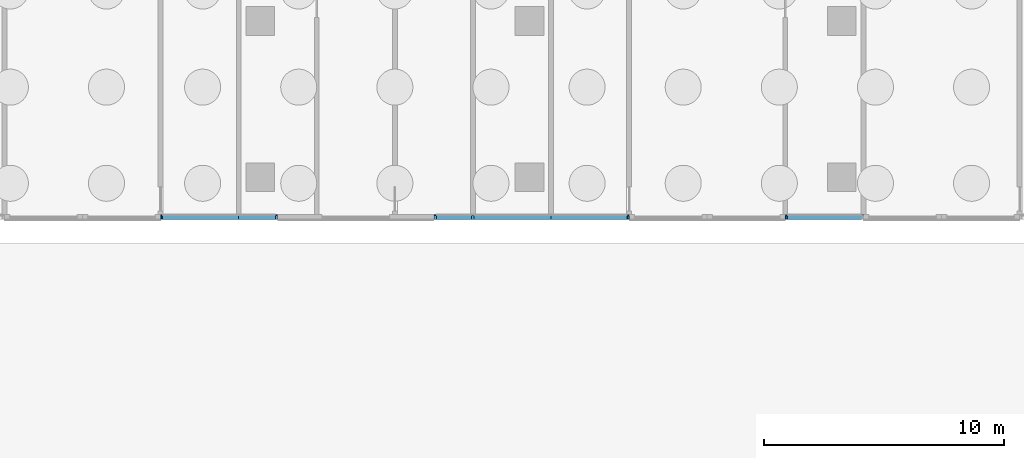
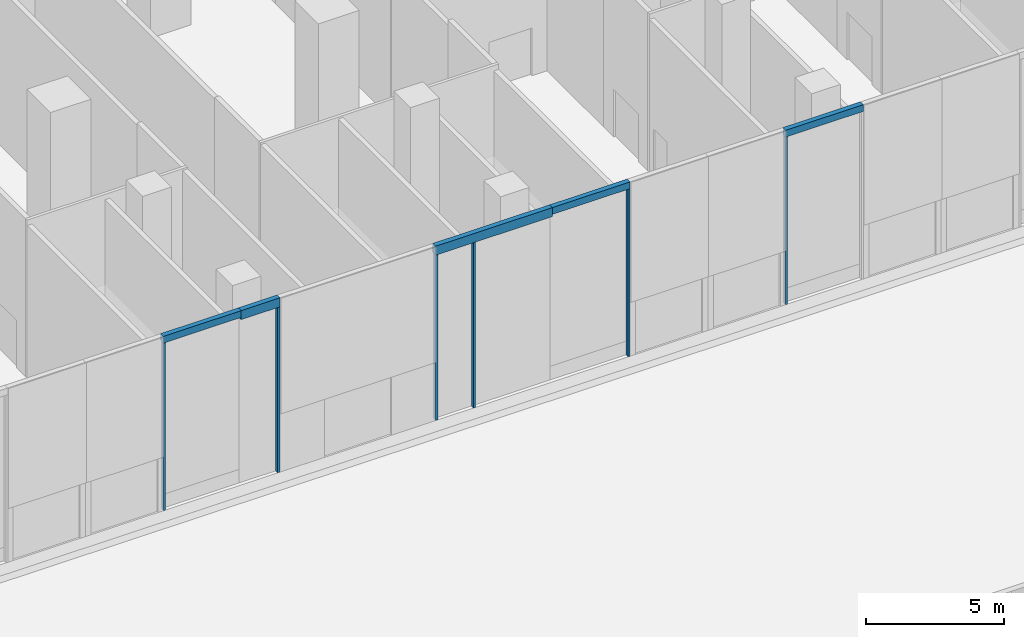
# One storey, part 5 of 27: 11 members, 5 elements without a shape of their own.
"""IFC4 building model written with IfcOpenShell, lengths in metres."""

from ifc_helpers import new_model, si_unit, direction, frame, origin, origin_2d, place, context, subcontext, project, spatial, polyline, rectangle, outline, extrude, source, transform, mapped, material, layer, layer_set, material_profile, profile_set, type_object, element, aggregate, save


model = new_model("IFC4")

# Units and contexts
model_context = context("Model", 3, precision=1e-05, world=origin(), true_north=direction((0.0, 1.0)))
body_context = subcontext(model_context, "Body", "Model", "MODEL_VIEW")
ifc_project = project(units=[si_unit("LENGTHUNIT", "METRE"), si_unit("AREAUNIT", "SQUARE_METRE"), si_unit("VOLUMEUNIT", "CUBIC_METRE"), si_unit("PLANEANGLEUNIT", "RADIAN"), si_unit("MASSUNIT", "GRAM", prefix="KILO")], contexts=[model_context])

# Site, building, storey
site_placement = place(None, origin())
site = spatial("IfcSite", under=ifc_project, at=site_placement, CompositionType="ELEMENT")
building_placement = place(site_placement, origin())
building = spatial("IfcBuilding", under=site, at=building_placement, Name="Trellis Farm Tower", CompositionType="ELEMENT")
storey_placement = place(building_placement, origin())
storey = spatial("IfcBuildingStorey", under=building, at=storey_placement, Name="L00", CompositionType="ELEMENT", Elevation=0.0)

# Curtain wall, member
ifc_material_1 = material(Name="Aluminium and glass curtain wall", Category="aluminium")
ifc_layer_1 = layer(ifc_material_1, 0.201904296875)
ifc_layer_set_1 = layer_set([ifc_layer_1], Name="SHOPFRONT CURTAIN WALL CW2")
curtain_wall_type_1 = type_object("IfcCurtainWallType", Name="SHOPFRONT CURTAIN WALL CW2", PredefinedType="NOTDEFINED", material=ifc_layer_set_1)
placement_1 = place(storey_placement, origin())
curtain_wall_1 = element("IfcCurtainWall", 1, at=placement_1, inside=storey, type_object=curtain_wall_type_1, Name="CW2 017", PredefinedType="NOTDEFINED")
ifc_material_2 = material(Name="Aluminium extrusion 6063-T6", Category="aluminium")
ifc_layer_2 = layer(ifc_material_2, 0.205078125)
ifc_layer_set_2 = layer_set([ifc_layer_2], Name="Aluminium extrusion 6063-T6")
member_type_1 = type_object("IfcMemberType", Name="CW2 TRANSOM 205x300", PredefinedType="USERDEFINED", material=ifc_layer_set_2)
placement_2 = place(storey_placement, frame((0.0, 0.0, 7.39990234375)))
member_1 = element("IfcMember", 2, at=placement_2, type_object=member_type_1, Name="TR2 017", ObjectType="TRANSOM", PredefinedType="USERDEFINED", context=body_context, shape_type="SweptSolid", body=[
    extrude(outline(polyline([(-9.75, -45.5), (-6.5, -45.5), (-6.5, -45.294921875), (-9.75, -45.294921875), (-9.75, -45.5)])), origin(), (0.0, 0.0, 1.0), 0.300048828125),
])

curtain_wall_2 = element("IfcCurtainWall", 3, at=placement_1, inside=storey, type_object=curtain_wall_type_1, Name="CW2 018", PredefinedType="NOTDEFINED")
member_2 = element("IfcMember", 4, at=placement_2, type_object=member_type_1, Name="TR2 018", ObjectType="TRANSOM", PredefinedType="USERDEFINED", context=body_context, shape_type="SweptSolid", body=[
    extrude(outline(polyline([(6.5, -45.5), (9.75, -45.5), (9.75, -45.294921875), (6.5, -45.294921875), (6.5, -45.5)])), origin(), (0.0, 0.0, 1.0), 0.300048828125),
])

curtain_wall_3 = element("IfcCurtainWall", 5, at=placement_1, inside=storey, type_object=curtain_wall_type_1, Name="CW2 019", PredefinedType="NOTDEFINED")
member_3 = element("IfcMember", 6, at=placement_2, type_object=member_type_1, Name="TR2 019", ObjectType="TRANSOM", PredefinedType="USERDEFINED", context=body_context, shape_type="SweptSolid", body=[
    extrude(outline(polyline([(16.25, -45.5), (19.5, -45.5), (19.5, -45.294921875), (16.25, -45.294921875), (16.25, -45.5)])), origin(), (0.0, 0.0, 1.0), 0.300048828125),
])

ifc_layer_3 = layer(ifc_material_1, 0.2099609375)
ifc_layer_set_3 = layer_set([ifc_layer_3], Name="LOBBY CURTAIN WALL CW4")
curtain_wall_type_2 = type_object("IfcCurtainWallType", Name="LOBBY CURTAIN WALL CW4", PredefinedType="NOTDEFINED", material=ifc_layer_set_3)
curtain_wall_4 = element("IfcCurtainWall", 7, at=placement_1, inside=storey, type_object=curtain_wall_type_2, Name="CW4 007", PredefinedType="NOTDEFINED")
ifc_layer_4 = layer(ifc_material_2, 0.2099609375)
ifc_layer_set_4 = layer_set([ifc_layer_4], Name="Aluminium extrusion 6063-T6")
member_type_2 = type_object("IfcMemberType", Name="CW4 TRANSOM 210x400", PredefinedType="USERDEFINED", material=ifc_layer_set_4)
placement_3 = place(storey_placement, frame((0.0, 0.0, 7.300048828125)))
member_4 = element("IfcMember", 8, at=placement_3, type_object=member_type_2, Name="TR4 007", ObjectType="TRANSOM", PredefinedType="USERDEFINED", context=body_context, shape_type="SweptSolid", body=[
    extrude(outline(polyline([(-6.5, -45.5), (-4.875, -45.5), (-4.875, -45.2900390625), (-6.5, -45.2900390625), (-6.5, -45.5)])), origin(), (0.0, 0.0, 1.0), 0.39990234375),
])

curtain_wall_5 = element("IfcCurtainWall", 9, at=placement_1, inside=storey, type_object=curtain_wall_type_2, Name="CW4 008", PredefinedType="NOTDEFINED")
member_5 = element("IfcMember", 10, at=placement_3, type_object=member_type_2, Name="TR4 008", ObjectType="TRANSOM", PredefinedType="USERDEFINED", context=body_context, shape_type="SweptSolid", body=[
    extrude(outline(polyline([(1.625, -45.5), (6.5, -45.5), (6.5, -45.2900390625), (1.625, -45.2900390625), (1.625, -45.5)])), origin(), (0.0, 0.0, 1.0), 0.39990234375),
])

# Member
ifc_material_profile_1 = material_profile(ifc_material_2, rectangle(XDim=0.080078125, YDim=0.14990234375, at=origin_2d()), Name="MULLION 80x150")
ifc_profile_set_1 = profile_set([ifc_material_profile_1], Name="Aluminium extrusion 6063-T6")
member_type_3 = type_object("IfcMemberType", Name="CW2 MULLION 80x150", PredefinedType="MULLION", material=ifc_profile_set_1)
shared_shape_1 = source(origin(), body_context, "Body", "SweptSolid", [
    extrude(rectangle(XDim=0.080078125, YDim=0.14990234375, at=origin_2d()), origin(), (0.0, 0.0, 1.0), 7.39990234375),
])
member_6_placement = place(storey_placement, frame((-9.7099609375, -45.425048828125, 0.0), z_axis=(0.0, 0.0, 1.0), x_axis=(1.0, 0.0, 0.0)))
member_6 = element("IfcMember", 11, at=member_6_placement, type_object=member_type_3, Name="MU2 017-01", PredefinedType="MULLION", context=body_context, shape_type="MappedRepresentation", body=[
    mapped(shared_shape_1, transform((0.0, 0.0, 0.0))),
])

aggregate(curtain_wall_1, [member_6, member_1])

member_7_placement = place(storey_placement, frame((9.7099609375, -45.425048828125, 0.0), z_axis=(0.0, 0.0, 1.0), x_axis=(1.0, 0.0, 0.0)))
member_7 = element("IfcMember", 12, at=member_7_placement, type_object=member_type_3, Name="MU2 018-01", PredefinedType="MULLION", context=body_context, shape_type="MappedRepresentation", body=[
    mapped(shared_shape_1, transform((0.0, 0.0, 0.0))),
])

aggregate(curtain_wall_2, [member_7, member_2])

member_8_placement = place(storey_placement, frame((16.2900390625, -45.425048828125, 0.0), z_axis=(0.0, 0.0, 1.0), x_axis=(1.0, 0.0, 0.0)))
member_8 = element("IfcMember", 13, at=member_8_placement, type_object=member_type_3, Name="MU2 019-01", PredefinedType="MULLION", context=body_context, shape_type="MappedRepresentation", body=[
    mapped(shared_shape_1, transform((0.0, 0.0, 0.0))),
])

aggregate(curtain_wall_3, [member_8, member_3])

ifc_material_profile_2 = material_profile(ifc_material_2, rectangle(XDim=0.10009765625, YDim=0.14990234375, at=origin_2d()), Name="MULLION 100x150")
ifc_profile_set_2 = profile_set([ifc_material_profile_2], Name="Aluminium extrusion 6063-T6")
member_type_4 = type_object("IfcMemberType", Name="CW4 MULLION 100x150", PredefinedType="MULLION", material=ifc_profile_set_2)
shared_shape_2 = source(origin(), body_context, "Body", "SweptSolid", [
    extrude(rectangle(XDim=0.10009765625, YDim=0.14990234375, at=origin_2d()), origin(), (0.0, 0.0, 1.0), 7.300048828125),
])
member_9_placement = place(storey_placement, frame((-4.925048828125, -45.425048828125, 0.0), z_axis=(0.0, 0.0, 1.0), x_axis=(1.0, 0.0, 0.0)))
member_9 = element("IfcMember", 14, at=member_9_placement, type_object=member_type_4, Name="MU4 007-01", PredefinedType="MULLION", context=body_context, shape_type="MappedRepresentation", body=[
    mapped(shared_shape_2, transform((0.0, 0.0, 0.0))),
])

aggregate(curtain_wall_4, [member_9, member_4])

member_10_placement = place(storey_placement, frame((1.675048828125, -45.425048828125, 0.0), z_axis=(0.0, 0.0, 1.0), x_axis=(1.0, 0.0, 0.0)))
member_10 = element("IfcMember", 15, at=member_10_placement, type_object=member_type_4, Name="MU4 008-01", PredefinedType="MULLION", context=body_context, shape_type="MappedRepresentation", body=[
    mapped(shared_shape_2, transform((0.0, 0.0, 0.0))),
])

member_11_placement = place(storey_placement, frame((3.25, -45.425048828125, 0.0), z_axis=(0.0, 0.0, 1.0), x_axis=(1.0, 0.0, 0.0)))
member_11 = element("IfcMember", 16, at=member_11_placement, type_object=member_type_4, Name="MU4 008-02", PredefinedType="MULLION", context=body_context, shape_type="MappedRepresentation", body=[
    mapped(shared_shape_2, transform((0.0, 0.0, 0.0))),
])

aggregate(curtain_wall_5, [member_10, member_11, member_5])

save(model, "model.ifc")
